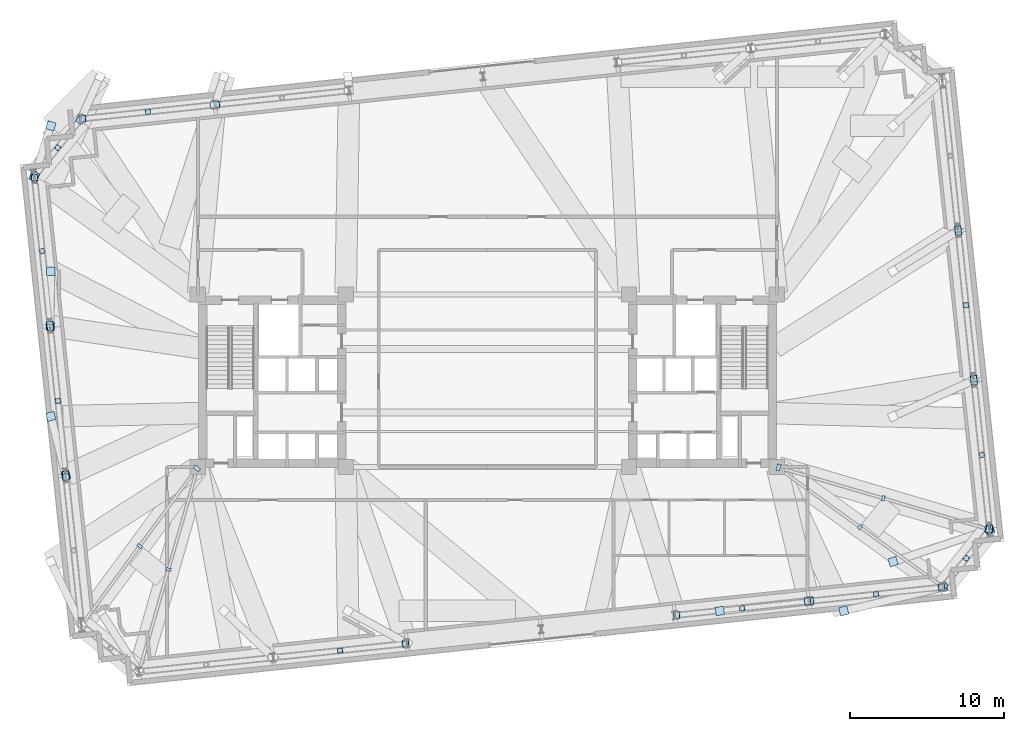
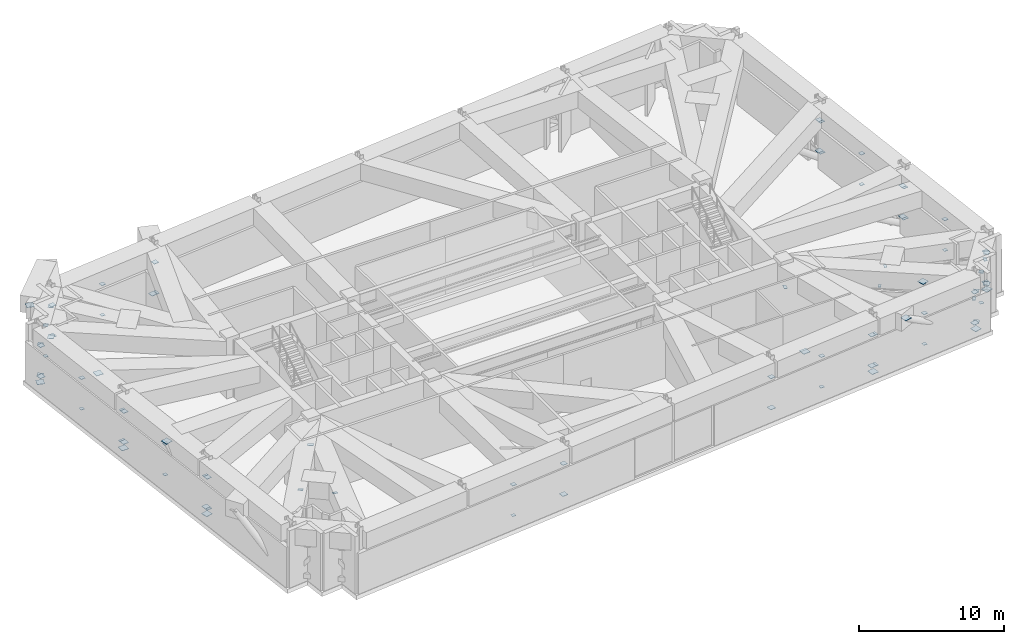
# One storey, part 17 of 23: 83 plates.
"""IFC4 building model written with IfcOpenShell, lengths in metres."""

from ifc_helpers import new_model, si_unit, direction, frame, origin, origin_2d, place, context, subcontext, project, spatial, rectangle, extrude, material, layer, layer_set, type_object, element, save


model = new_model("IFC4")

# Units and contexts
model_context = context("Model", 3, precision=1e-05, world=origin(), true_north=direction((0.0, 1.0)))
body_context = subcontext(model_context, "Body", "Model", "MODEL_VIEW")
ifc_project = project(units=[si_unit("LENGTHUNIT", "METRE"), si_unit("AREAUNIT", "SQUARE_METRE"), si_unit("VOLUMEUNIT", "CUBIC_METRE"), si_unit("PLANEANGLEUNIT", "RADIAN"), si_unit("MASSUNIT", "GRAM", prefix="KILO")], contexts=[model_context])

# Site, building, storey
site_placement = place(None, origin())
site = spatial("IfcSite", under=ifc_project, at=site_placement, CompositionType="ELEMENT")
building_placement = place(site_placement, origin())
building = spatial("IfcBuilding", under=site, at=building_placement, Name="Qobustan Lattice House", CompositionType="ELEMENT")
storey_placement = place(building_placement, frame((0.0, 0.0, 125.89990234375)))
storey = spatial("IfcBuildingStorey", under=building, at=storey_placement, Name="L35", CompositionType="ELEMENT", Elevation=125.89990234375)

# Plates
ifc_material = material(Name="Steel S355", Category="steel")
ifc_layer = layer(ifc_material, 0.030029296875)
ifc_layer_set = layer_set([ifc_layer], Name="Steel S355")
plate_type = type_object("IfcPlateType", Name="PLT-CAP-25", PredefinedType="SHEET", material=ifc_layer_set)
plate_1_placement = place(storey_placement, frame((-5.309814453125, -17.07568359375, 0.53515625), z_axis=(0.0, 0.0, 1.0), x_axis=(0.994521895368, 0.104528463268, 0.0)))
element("IfcPlate", 1, at=plate_1_placement, inside=storey, type_object=plate_type, Name="L35 TT2 belt truss bottom chord S2-S3 end cap plate 2", PredefinedType="SHEET", context=body_context, shape_type="SweptSolid", body=[
    extrude(rectangle(XDim=0.43994140625, YDim=0.43994140625, at=origin_2d()), origin(), (0.0, 0.0, 1.0), 0.030029296875),
])
plate_2_placement = place(storey_placement, frame((-5.309814453125, -17.07568359375, 3.125), z_axis=(0.0, 0.0, 1.0), x_axis=(0.994521895368, 0.104528463268, 0.0)))
element("IfcPlate", 2, at=plate_2_placement, inside=storey, type_object=plate_type, Name="L35 TT2 belt truss top chord S2-S3 end cap plate 2", PredefinedType="SHEET", context=body_context, shape_type="SweptSolid", body=[
    extrude(rectangle(XDim=0.389892578125, YDim=0.389892578125, at=origin_2d()), origin(), (0.0, 0.0, 1.0), 0.030029296875),
])
plate_3_placement = place(storey_placement, frame((-9.56201171875, -17.522705078125, 3.12744140625), z_axis=(0.0, 0.0, 1.0), x_axis=(0.994520070851, 0.104545820933, 0.0)))
element("IfcPlate", 3, at=plate_3_placement, inside=storey, type_object=plate_type, Name="L35 TT2 belt truss web diagonal S2-S3 A end cap plate 2", PredefinedType="SHEET", context=body_context, shape_type="SweptSolid", body=[
    extrude(rectangle(XDim=0.340087890625, YDim=0.340087890625, at=origin_2d()), origin(), (0.0, 0.0, 1.0), 0.030029296875),
])
plate_4_placement = place(storey_placement, frame((-9.56640625, -17.52294921875, 0.5302734375), z_axis=(0.0, 0.0, 1.0), x_axis=(1.0, 0.0, 0.0)))
element("IfcPlate", 4, at=plate_4_placement, inside=storey, type_object=plate_type, Name="L35 TT2 belt truss vertical post S2-S3 end cap plate 1", PredefinedType="SHEET", context=body_context, shape_type="SweptSolid", body=[
    extrude(rectangle(XDim=0.2900390625, YDim=0.2900390625, at=origin_2d()), origin(), (0.0, 0.0, 1.0), 0.030029296875),
])
for number, where, z_axis, x_axis, name in (
    (5, (12.283203125, -15.2265625, 0.53515625), (0.0, 0.0, 1.0), (0.994523719583, 0.10451110557, 0.0), "L35 TT2 belt truss bottom chord S5-S6 end cap plate 1"),
    (6, (20.79638671875, -14.331787109375, 0.53515625), (0.0, 0.0, 1.0), (0.994523719583, 0.10451110557, 0.0), "L35 TT2 belt truss bottom chord S5-S6 end cap plate 2"),
):
    element("IfcPlate", number, at=place(storey_placement, frame(where, z_axis=z_axis, x_axis=x_axis)), inside=storey, type_object=plate_type, Name=name, PredefinedType="SHEET", context=body_context, shape_type="SweptSolid", body=[
        extrude(rectangle(XDim=0.43994140625, YDim=0.43994140625, at=origin_2d()), origin(), (0.0, 0.0, 1.0), 0.030029296875),
    ])
for number, where, z_axis, x_axis, name in (
    (7, (12.283203125, -15.2265625, 3.125), (0.0, 0.0, 1.0), (0.994523719583, 0.10451110557, 0.0), "L35 TT2 belt truss top chord S5-S6 end cap plate 1"),
    (8, (20.79638671875, -14.331787109375, 3.125), (0.0, 0.0, 1.0), (0.994523719583, 0.10451110557, 0.0), "L35 TT2 belt truss top chord S5-S6 end cap plate 2"),
):
    element("IfcPlate", number, at=place(storey_placement, frame(where, z_axis=z_axis, x_axis=x_axis)), inside=storey, type_object=plate_type, Name=name, PredefinedType="SHEET", context=body_context, shape_type="SweptSolid", body=[
        extrude(rectangle(XDim=0.389892578125, YDim=0.389892578125, at=origin_2d()), origin(), (0.0, 0.0, 1.0), 0.030029296875),
    ])
plate_5_placement = place(storey_placement, frame((16.544189453125, -14.77880859375, 3.12744140625), z_axis=(0.0, 0.0, 1.0), x_axis=(0.994523719583, 0.10451110557, 0.0)))
element("IfcPlate", 9, at=plate_5_placement, inside=storey, type_object=plate_type, Name="L35 TT2 belt truss web diagonal S5-S6 A end cap plate 2", PredefinedType="SHEET", context=body_context, shape_type="SweptSolid", body=[
    extrude(rectangle(XDim=0.340087890625, YDim=0.340087890625, at=origin_2d()), origin(), (0.0, 0.0, 1.0), 0.030029296875),
])
plate_6_placement = place(storey_placement, frame((16.539794921875, -14.779296875, 0.5302734375), z_axis=(0.0, 0.0, 1.0), x_axis=(1.0, 0.0, 0.0)))
element("IfcPlate", 10, at=plate_6_placement, inside=storey, type_object=plate_type, Name="L35 TT2 belt truss vertical post S5-S6 end cap plate 1", PredefinedType="SHEET", context=body_context, shape_type="SweptSolid", body=[
    extrude(rectangle(XDim=0.2900390625, YDim=0.2900390625, at=origin_2d()), origin(), (0.0, 0.0, 1.0), 0.030029296875),
])
for number, where, z_axis, x_axis, name in (
    (11, (20.9853515625, -14.31201171875, 0.53515625), (0.0, 0.0, 1.0), (0.994521895368, 0.104528463268, 0.0), "L35 TT2 belt truss bottom chord S6-S7 end cap plate 1"),
    (12, (29.498291015625, -13.417236328125, 0.53515625), (0.0, 0.0, 1.0), (0.994521895368, 0.104528463268, 0.0), "L35 TT2 belt truss bottom chord S6-S7 end cap plate 2"),
):
    element("IfcPlate", number, at=place(storey_placement, frame(where, z_axis=z_axis, x_axis=x_axis)), inside=storey, type_object=plate_type, Name=name, PredefinedType="SHEET", context=body_context, shape_type="SweptSolid", body=[
        extrude(rectangle(XDim=0.43994140625, YDim=0.43994140625, at=origin_2d()), origin(), (0.0, 0.0, 1.0), 0.030029296875),
    ])
for number, where, z_axis, x_axis, name in (
    (13, (20.9853515625, -14.31201171875, 3.125), (0.0, 0.0, 1.0), (0.994521895368, 0.104528463268, 0.0), "L35 TT2 belt truss top chord S6-S7 end cap plate 1"),
    (14, (29.498291015625, -13.417236328125, 3.125), (0.0, 0.0, 1.0), (0.994521895368, 0.104528463268, 0.0), "L35 TT2 belt truss top chord S6-S7 end cap plate 2"),
):
    element("IfcPlate", number, at=place(storey_placement, frame(where, z_axis=z_axis, x_axis=x_axis)), inside=storey, type_object=plate_type, Name=name, PredefinedType="SHEET", context=body_context, shape_type="SweptSolid", body=[
        extrude(rectangle(XDim=0.389892578125, YDim=0.389892578125, at=origin_2d()), origin(), (0.0, 0.0, 1.0), 0.030029296875),
    ])
plate_7_placement = place(storey_placement, frame((25.24609375, -13.8642578125, 3.12744140625), z_axis=(0.0, 0.0, 1.0), x_axis=(0.994523719583, 0.10451110557, 0.0)))
element("IfcPlate", 15, at=plate_7_placement, inside=storey, type_object=plate_type, Name="L35 TT2 belt truss web diagonal S6-S7 A end cap plate 2", PredefinedType="SHEET", context=body_context, shape_type="SweptSolid", body=[
    extrude(rectangle(XDim=0.340087890625, YDim=0.340087890625, at=origin_2d()), origin(), (0.0, 0.0, 1.0), 0.030029296875),
])
plate_8_placement = place(storey_placement, frame((25.241943359375, -13.864501953125, 0.5302734375), z_axis=(0.0, 0.0, 1.0), x_axis=(1.0, 0.0, 0.0)))
element("IfcPlate", 16, at=plate_8_placement, inside=storey, type_object=plate_type, Name="L35 TT2 belt truss vertical post S6-S7 end cap plate 1", PredefinedType="SHEET", context=body_context, shape_type="SweptSolid", body=[
    extrude(rectangle(XDim=0.2900390625, YDim=0.2900390625, at=origin_2d()), origin(), (0.0, 0.0, 1.0), 0.030029296875),
])
for number, where, z_axis, x_axis, name in (
    (17, (29.652587890625, -13.33349609375, 0.53515625), (0.0, 0.0, 1.0), (0.62933395471, 0.777134977626, 0.0), "L35 TT2 belt truss bottom chord S7-E1 end cap plate 1"),
    (18, (32.55908203125, -9.744384765625, 0.53515625), (0.0, 0.0, 1.0), (0.62933395471, 0.777134977626, 0.0), "L35 TT2 belt truss bottom chord S7-E1 end cap plate 2"),
):
    element("IfcPlate", number, at=place(storey_placement, frame(where, z_axis=z_axis, x_axis=x_axis)), inside=storey, type_object=plate_type, Name=name, PredefinedType="SHEET", context=body_context, shape_type="SweptSolid", body=[
        extrude(rectangle(XDim=0.43994140625, YDim=0.43994140625, at=origin_2d()), origin(), (0.0, 0.0, 1.0), 0.030029296875),
    ])
for number, where, z_axis, x_axis, name in (
    (19, (29.652587890625, -13.33349609375, 3.125), (0.0, 0.0, 1.0), (0.62933395471, 0.777134977626, 0.0), "L35 TT2 belt truss top chord S7-E1 end cap plate 1"),
    (20, (32.55908203125, -9.744384765625, 3.125), (0.0, 0.0, 1.0), (0.62933395471, 0.777134977626, 0.0), "L35 TT2 belt truss top chord S7-E1 end cap plate 2"),
):
    element("IfcPlate", number, at=place(storey_placement, frame(where, z_axis=z_axis, x_axis=x_axis)), inside=storey, type_object=plate_type, Name=name, PredefinedType="SHEET", context=body_context, shape_type="SweptSolid", body=[
        extrude(rectangle(XDim=0.389892578125, YDim=0.389892578125, at=origin_2d()), origin(), (0.0, 0.0, 1.0), 0.030029296875),
    ])
plate_9_placement = place(storey_placement, frame((31.10791015625, -11.536376953125, 3.12890625), z_axis=(0.0, 0.0, 1.0), x_axis=(0.629347518178, 0.777123993558, 0.0)))
element("IfcPlate", 21, at=plate_9_placement, inside=storey, type_object=plate_type, Name="L35 TT2 belt truss web diagonal S7-E1 A end cap plate 2", PredefinedType="SHEET", context=body_context, shape_type="SweptSolid", body=[
    extrude(rectangle(XDim=0.340087890625, YDim=0.340087890625, at=origin_2d()), origin(), (0.0, 0.0, 1.0), 0.030029296875),
])
plate_10_placement = place(storey_placement, frame((31.10595703125, -11.538818359375, 0.5302734375), z_axis=(0.0, 0.0, 1.0), x_axis=(1.0, 0.0, 0.0)))
element("IfcPlate", 22, at=plate_10_placement, inside=storey, type_object=plate_type, Name="L35 TT2 belt truss vertical post S7-E1 end cap plate 1", PredefinedType="SHEET", context=body_context, shape_type="SweptSolid", body=[
    extrude(rectangle(XDim=0.2900390625, YDim=0.2900390625, at=origin_2d()), origin(), (0.0, 0.0, 1.0), 0.030029296875),
])
for number, where, z_axis, x_axis, name in (
    (23, (32.60888671875, -9.575927734375, 0.53515625), (0.0, 0.0, 1.0), (-0.104528463268, 0.994521895368, 0.0), "L35 TT2 belt truss bottom chord E1-E2 end cap plate 1"),
    (24, (31.60791015625, -0.0517578125, 0.53515625), (0.0, 0.0, 1.0), (-0.104528463268, 0.994521895368, 0.0), "L35 TT2 belt truss bottom chord E1-E2 end cap plate 2"),
):
    element("IfcPlate", number, at=place(storey_placement, frame(where, z_axis=z_axis, x_axis=x_axis)), inside=storey, type_object=plate_type, Name=name, PredefinedType="SHEET", context=body_context, shape_type="SweptSolid", body=[
        extrude(rectangle(XDim=0.43994140625, YDim=0.43994140625, at=origin_2d()), origin(), (0.0, 0.0, 1.0), 0.030029296875),
    ])
for number, where, z_axis, x_axis, name in (
    (25, (32.60888671875, -9.575927734375, 3.125), (0.0, 0.0, 1.0), (-0.104528463268, 0.994521895368, 0.0), "L35 TT2 belt truss top chord E1-E2 end cap plate 1"),
    (26, (31.60791015625, -0.0517578125, 3.125), (0.0, 0.0, 1.0), (-0.104528463268, 0.994521895368, 0.0), "L35 TT2 belt truss top chord E1-E2 end cap plate 2"),
):
    element("IfcPlate", number, at=place(storey_placement, frame(where, z_axis=z_axis, x_axis=x_axis)), inside=storey, type_object=plate_type, Name=name, PredefinedType="SHEET", context=body_context, shape_type="SweptSolid", body=[
        extrude(rectangle(XDim=0.389892578125, YDim=0.389892578125, at=origin_2d()), origin(), (0.0, 0.0, 1.0), 0.030029296875),
    ])
plate_11_placement = place(storey_placement, frame((32.10791015625, -4.8095703125, 3.12744140625), z_axis=(0.0, 0.0, 1.0), x_axis=(-0.10451110557, 0.994523719583, 0.0)))
element("IfcPlate", 27, at=plate_11_placement, inside=storey, type_object=plate_type, Name="L35 TT2 belt truss web diagonal E1-E2 A end cap plate 2", PredefinedType="SHEET", context=body_context, shape_type="SweptSolid", body=[
    extrude(rectangle(XDim=0.340087890625, YDim=0.340087890625, at=origin_2d()), origin(), (0.0, 0.0, 1.0), 0.030029296875),
])
plate_12_placement = place(storey_placement, frame((32.1083984375, -4.81396484375, 0.5302734375), z_axis=(0.0, 0.0, 1.0), x_axis=(1.0, 0.0, 0.0)))
element("IfcPlate", 28, at=plate_12_placement, inside=storey, type_object=plate_type, Name="L35 TT2 belt truss vertical post E1-E2 end cap plate 1", PredefinedType="SHEET", context=body_context, shape_type="SweptSolid", body=[
    extrude(rectangle(XDim=0.2900390625, YDim=0.2900390625, at=origin_2d()), origin(), (0.0, 0.0, 1.0), 0.030029296875),
])
for number, where, z_axis, x_axis, name in (
    (29, (31.587890625, 0.13720703125, 0.53515625), (0.0, 0.0, 1.0), (-0.104528463268, 0.994521895368, 0.0), "L35 TT2 belt truss bottom chord E2-E3 end cap plate 1"),
    (30, (30.587158203125, 9.661376953125, 0.53515625), (0.0, 0.0, 1.0), (-0.104528463268, 0.994521895368, 0.0), "L35 TT2 belt truss bottom chord E2-E3 end cap plate 2"),
):
    element("IfcPlate", number, at=place(storey_placement, frame(where, z_axis=z_axis, x_axis=x_axis)), inside=storey, type_object=plate_type, Name=name, PredefinedType="SHEET", context=body_context, shape_type="SweptSolid", body=[
        extrude(rectangle(XDim=0.43994140625, YDim=0.43994140625, at=origin_2d()), origin(), (0.0, 0.0, 1.0), 0.030029296875),
    ])
for number, where, z_axis, x_axis, name in (
    (31, (31.587890625, 0.13720703125, 3.125), (0.0, 0.0, 1.0), (-0.104528463268, 0.994521895368, 0.0), "L35 TT2 belt truss top chord E2-E3 end cap plate 1"),
    (32, (30.587158203125, 9.661376953125, 3.125), (0.0, 0.0, 1.0), (-0.104528463268, 0.994521895368, 0.0), "L35 TT2 belt truss top chord E2-E3 end cap plate 2"),
):
    element("IfcPlate", number, at=place(storey_placement, frame(where, z_axis=z_axis, x_axis=x_axis)), inside=storey, type_object=plate_type, Name=name, PredefinedType="SHEET", context=body_context, shape_type="SweptSolid", body=[
        extrude(rectangle(XDim=0.389892578125, YDim=0.389892578125, at=origin_2d()), origin(), (0.0, 0.0, 1.0), 0.030029296875),
    ])
plate_13_placement = place(storey_placement, frame((31.087158203125, 4.90380859375, 3.12744140625), z_axis=(0.0, 0.0, 1.0), x_axis=(-0.10451110557, 0.994523719583, 0.0)))
element("IfcPlate", 33, at=plate_13_placement, inside=storey, type_object=plate_type, Name="L35 TT2 belt truss web diagonal E2-E3 A end cap plate 2", PredefinedType="SHEET", context=body_context, shape_type="SweptSolid", body=[
    extrude(rectangle(XDim=0.340087890625, YDim=0.340087890625, at=origin_2d()), origin(), (0.0, 0.0, 1.0), 0.030029296875),
])
plate_14_placement = place(storey_placement, frame((31.087646484375, 4.8994140625, 0.5302734375), z_axis=(0.0, 0.0, 1.0), x_axis=(1.0, 0.0, 0.0)))
element("IfcPlate", 34, at=plate_14_placement, inside=storey, type_object=plate_type, Name="L35 TT2 belt truss vertical post E2-E3 end cap plate 1", PredefinedType="SHEET", context=body_context, shape_type="SweptSolid", body=[
    extrude(rectangle(XDim=0.2900390625, YDim=0.2900390625, at=origin_2d()), origin(), (0.0, 0.0, 1.0), 0.030029296875),
])
plate_15_placement = place(storey_placement, frame((30.567138671875, 9.850341796875, 0.53515625), z_axis=(0.0, 0.0, 1.0), x_axis=(-0.104528463268, 0.994521895368, 0.0)))
element("IfcPlate", 35, at=plate_15_placement, inside=storey, type_object=plate_type, Name="L35 TT2 belt truss bottom chord E3-E4 end cap plate 1", PredefinedType="SHEET", context=body_context, shape_type="SweptSolid", body=[
    extrude(rectangle(XDim=0.43994140625, YDim=0.43994140625, at=origin_2d()), origin(), (0.0, 0.0, 1.0), 0.030029296875),
])
plate_16_placement = place(storey_placement, frame((30.567138671875, 9.850341796875, 3.125), z_axis=(0.0, 0.0, 1.0), x_axis=(-0.104528463268, 0.994521895368, 0.0)))
element("IfcPlate", 36, at=plate_16_placement, inside=storey, type_object=plate_type, Name="L35 TT2 belt truss top chord E3-E4 end cap plate 1", PredefinedType="SHEET", context=body_context, shape_type="SweptSolid", body=[
    extrude(rectangle(XDim=0.389892578125, YDim=0.389892578125, at=origin_2d()), origin(), (0.0, 0.0, 1.0), 0.030029296875),
])
plate_17_placement = place(storey_placement, frame((-17.596435546875, 17.931884765625, 0.53515625), z_axis=(0.0, 0.0, 1.0), x_axis=(-0.994523719583, -0.10451110557, 0.0)))
element("IfcPlate", 37, at=plate_17_placement, inside=storey, type_object=plate_type, Name="L35 TT2 belt truss bottom chord N5-N6 end cap plate 2", PredefinedType="SHEET", context=body_context, shape_type="SweptSolid", body=[
    extrude(rectangle(XDim=0.43994140625, YDim=0.43994140625, at=origin_2d()), origin(), (0.0, 0.0, 1.0), 0.030029296875),
])
plate_18_placement = place(storey_placement, frame((-17.596435546875, 17.931884765625, 3.125), z_axis=(0.0, 0.0, 1.0), x_axis=(-0.994523719583, -0.10451110557, 0.0)))
element("IfcPlate", 38, at=plate_18_placement, inside=storey, type_object=plate_type, Name="L35 TT2 belt truss top chord N5-N6 end cap plate 2", PredefinedType="SHEET", context=body_context, shape_type="SweptSolid", body=[
    extrude(rectangle(XDim=0.389892578125, YDim=0.389892578125, at=origin_2d()), origin(), (0.0, 0.0, 1.0), 0.030029296875),
])
for number, where, z_axis, x_axis, name in (
    (39, (-17.785400390625, 17.911865234375, 0.53515625), (0.0, 0.0, 1.0), (-0.994521895368, -0.104528463268, 0.0), "L35 TT2 belt truss bottom chord N6-N7 end cap plate 1"),
    (40, (-26.29833984375, 17.01708984375, 0.53515625), (0.0, 0.0, 1.0), (-0.994521895368, -0.104528463268, 0.0), "L35 TT2 belt truss bottom chord N6-N7 end cap plate 2"),
):
    element("IfcPlate", number, at=place(storey_placement, frame(where, z_axis=z_axis, x_axis=x_axis)), inside=storey, type_object=plate_type, Name=name, PredefinedType="SHEET", context=body_context, shape_type="SweptSolid", body=[
        extrude(rectangle(XDim=0.43994140625, YDim=0.43994140625, at=origin_2d()), origin(), (0.0, 0.0, 1.0), 0.030029296875),
    ])
plate_19_placement = place(storey_placement, frame((-26.29833984375, 17.01708984375, 3.125), z_axis=(0.0, 0.0, 1.0), x_axis=(-0.994521895368, -0.104528463268, 0.0)))
element("IfcPlate", 41, at=plate_19_placement, inside=storey, type_object=plate_type, Name="L35 TT2 belt truss top chord N6-N7 end cap plate 2", PredefinedType="SHEET", context=body_context, shape_type="SweptSolid", body=[
    extrude(rectangle(XDim=0.389892578125, YDim=0.389892578125, at=origin_2d()), origin(), (0.0, 0.0, 1.0), 0.030029296875),
])
plate_20_placement = place(storey_placement, frame((-22.046142578125, 17.464111328125, 3.12744140625), z_axis=(0.0, 0.0, 1.0), x_axis=(-0.994523719583, -0.10451110557, 0.0)))
element("IfcPlate", 42, at=plate_20_placement, inside=storey, type_object=plate_type, Name="L35 TT2 belt truss web diagonal N6-N7 A end cap plate 2", PredefinedType="SHEET", context=body_context, shape_type="SweptSolid", body=[
    extrude(rectangle(XDim=0.340087890625, YDim=0.340087890625, at=origin_2d()), origin(), (0.0, 0.0, 1.0), 0.030029296875),
])
plate_21_placement = place(storey_placement, frame((-22.0419921875, 17.464599609375, 0.5302734375), z_axis=(0.0, 0.0, 1.0), x_axis=(1.0, 0.0, 0.0)))
element("IfcPlate", 43, at=plate_21_placement, inside=storey, type_object=plate_type, Name="L35 TT2 belt truss vertical post N6-N7 end cap plate 1", PredefinedType="SHEET", context=body_context, shape_type="SweptSolid", body=[
    extrude(rectangle(XDim=0.2900390625, YDim=0.2900390625, at=origin_2d()), origin(), (0.0, 0.0, 1.0), 0.030029296875),
])
for number, where, z_axis, x_axis, name in (
    (44, (-26.45263671875, 16.933349609375, 0.53515625), (0.0, 0.0, 1.0), (-0.62933395471, -0.777134977626, 0.0), "L35 TT2 belt truss bottom chord N7-W1 end cap plate 1"),
    (45, (-29.359130859375, 13.34423828125, 0.53515625), (0.0, 0.0, 1.0), (-0.62933395471, -0.777134977626, 0.0), "L35 TT2 belt truss bottom chord N7-W1 end cap plate 2"),
):
    element("IfcPlate", number, at=place(storey_placement, frame(where, z_axis=z_axis, x_axis=x_axis)), inside=storey, type_object=plate_type, Name=name, PredefinedType="SHEET", context=body_context, shape_type="SweptSolid", body=[
        extrude(rectangle(XDim=0.43994140625, YDim=0.43994140625, at=origin_2d()), origin(), (0.0, 0.0, 1.0), 0.030029296875),
    ])
for number, where, z_axis, x_axis, name in (
    (46, (-26.45263671875, 16.933349609375, 3.125), (0.0, 0.0, 1.0), (-0.62933395471, -0.777134977626, 0.0), "L35 TT2 belt truss top chord N7-W1 end cap plate 1"),
    (47, (-29.359130859375, 13.34423828125, 3.125), (0.0, 0.0, 1.0), (-0.62933395471, -0.777134977626, 0.0), "L35 TT2 belt truss top chord N7-W1 end cap plate 2"),
):
    element("IfcPlate", number, at=place(storey_placement, frame(where, z_axis=z_axis, x_axis=x_axis)), inside=storey, type_object=plate_type, Name=name, PredefinedType="SHEET", context=body_context, shape_type="SweptSolid", body=[
        extrude(rectangle(XDim=0.389892578125, YDim=0.389892578125, at=origin_2d()), origin(), (0.0, 0.0, 1.0), 0.030029296875),
    ])
plate_22_placement = place(storey_placement, frame((-27.907958984375, 15.13623046875, 3.12890625), z_axis=(0.0, 0.0, 1.0), x_axis=(-0.629347518178, -0.777123993558, 0.0)))
element("IfcPlate", 48, at=plate_22_placement, inside=storey, type_object=plate_type, Name="L35 TT2 belt truss web diagonal N7-W1 A end cap plate 2", PredefinedType="SHEET", context=body_context, shape_type="SweptSolid", body=[
    extrude(rectangle(XDim=0.340087890625, YDim=0.340087890625, at=origin_2d()), origin(), (0.0, 0.0, 1.0), 0.030029296875),
])
plate_23_placement = place(storey_placement, frame((-27.906005859375, 15.138916015625, 0.5302734375), z_axis=(0.0, 0.0, 1.0), x_axis=(1.0, 0.0, 0.0)))
element("IfcPlate", 49, at=plate_23_placement, inside=storey, type_object=plate_type, Name="L35 TT2 belt truss vertical post N7-W1 end cap plate 1", PredefinedType="SHEET", context=body_context, shape_type="SweptSolid", body=[
    extrude(rectangle(XDim=0.2900390625, YDim=0.2900390625, at=origin_2d()), origin(), (0.0, 0.0, 1.0), 0.030029296875),
])
for number, where, z_axis, x_axis, name in (
    (50, (-29.408935546875, 13.176025390625, 0.53515625), (0.0, 0.0, 1.0), (0.104528463268, -0.994521895368, 0.0), "L35 TT2 belt truss bottom chord W1-W2 end cap plate 1"),
    (51, (-28.407958984375, 3.65185546875, 0.53515625), (0.0, 0.0, 1.0), (0.104528463268, -0.994521895368, 0.0), "L35 TT2 belt truss bottom chord W1-W2 end cap plate 2"),
):
    element("IfcPlate", number, at=place(storey_placement, frame(where, z_axis=z_axis, x_axis=x_axis)), inside=storey, type_object=plate_type, Name=name, PredefinedType="SHEET", context=body_context, shape_type="SweptSolid", body=[
        extrude(rectangle(XDim=0.43994140625, YDim=0.43994140625, at=origin_2d()), origin(), (0.0, 0.0, 1.0), 0.030029296875),
    ])
for number, where, z_axis, x_axis, name in (
    (52, (-29.408935546875, 13.176025390625, 3.125), (0.0, 0.0, 1.0), (0.104528463268, -0.994521895368, 0.0), "L35 TT2 belt truss top chord W1-W2 end cap plate 1"),
    (53, (-28.407958984375, 3.65185546875, 3.125), (0.0, 0.0, 1.0), (0.104528463268, -0.994521895368, 0.0), "L35 TT2 belt truss top chord W1-W2 end cap plate 2"),
):
    element("IfcPlate", number, at=place(storey_placement, frame(where, z_axis=z_axis, x_axis=x_axis)), inside=storey, type_object=plate_type, Name=name, PredefinedType="SHEET", context=body_context, shape_type="SweptSolid", body=[
        extrude(rectangle(XDim=0.389892578125, YDim=0.389892578125, at=origin_2d()), origin(), (0.0, 0.0, 1.0), 0.030029296875),
    ])
plate_24_placement = place(storey_placement, frame((-28.907958984375, 8.409423828125, 3.12744140625), z_axis=(0.0, 0.0, 1.0), x_axis=(0.10451110557, -0.994523719583, 0.0)))
element("IfcPlate", 54, at=plate_24_placement, inside=storey, type_object=plate_type, Name="L35 TT2 belt truss web diagonal W1-W2 A end cap plate 2", PredefinedType="SHEET", context=body_context, shape_type="SweptSolid", body=[
    extrude(rectangle(XDim=0.340087890625, YDim=0.340087890625, at=origin_2d()), origin(), (0.0, 0.0, 1.0), 0.030029296875),
])
plate_25_placement = place(storey_placement, frame((-28.908447265625, 8.413818359375, 0.5302734375), z_axis=(0.0, 0.0, 1.0), x_axis=(1.0, 0.0, 0.0)))
element("IfcPlate", 55, at=plate_25_placement, inside=storey, type_object=plate_type, Name="L35 TT2 belt truss vertical post W1-W2 end cap plate 1", PredefinedType="SHEET", context=body_context, shape_type="SweptSolid", body=[
    extrude(rectangle(XDim=0.2900390625, YDim=0.2900390625, at=origin_2d()), origin(), (0.0, 0.0, 1.0), 0.030029296875),
])
for number, where, z_axis, x_axis, name in (
    (56, (-28.387939453125, 3.462890625, 0.53515625), (0.0, 0.0, 1.0), (0.104528463268, -0.994521895368, 0.0), "L35 TT2 belt truss bottom chord W2-W3 end cap plate 1"),
    (57, (-27.38720703125, -6.061279296875, 0.53515625), (0.0, 0.0, 1.0), (0.104528463268, -0.994521895368, 0.0), "L35 TT2 belt truss bottom chord W2-W3 end cap plate 2"),
):
    element("IfcPlate", number, at=place(storey_placement, frame(where, z_axis=z_axis, x_axis=x_axis)), inside=storey, type_object=plate_type, Name=name, PredefinedType="SHEET", context=body_context, shape_type="SweptSolid", body=[
        extrude(rectangle(XDim=0.43994140625, YDim=0.43994140625, at=origin_2d()), origin(), (0.0, 0.0, 1.0), 0.030029296875),
    ])
for number, where, z_axis, x_axis, name in (
    (58, (-28.387939453125, 3.462890625, 3.125), (0.0, 0.0, 1.0), (0.104528463268, -0.994521895368, 0.0), "L35 TT2 belt truss top chord W2-W3 end cap plate 1"),
    (59, (-27.38720703125, -6.061279296875, 3.125), (0.0, 0.0, 1.0), (0.104528463268, -0.994521895368, 0.0), "L35 TT2 belt truss top chord W2-W3 end cap plate 2"),
):
    element("IfcPlate", number, at=place(storey_placement, frame(where, z_axis=z_axis, x_axis=x_axis)), inside=storey, type_object=plate_type, Name=name, PredefinedType="SHEET", context=body_context, shape_type="SweptSolid", body=[
        extrude(rectangle(XDim=0.389892578125, YDim=0.389892578125, at=origin_2d()), origin(), (0.0, 0.0, 1.0), 0.030029296875),
    ])
plate_26_placement = place(storey_placement, frame((-27.886962890625, -1.3037109375, 3.12744140625), z_axis=(0.0, 0.0, 1.0), x_axis=(0.104528463268, -0.994521895368, 0.0)))
element("IfcPlate", 60, at=plate_26_placement, inside=storey, type_object=plate_type, Name="L35 TT2 belt truss web diagonal W2-W3 A end cap plate 2", PredefinedType="SHEET", context=body_context, shape_type="SweptSolid", body=[
    extrude(rectangle(XDim=0.340087890625, YDim=0.340087890625, at=origin_2d()), origin(), (0.0, 0.0, 1.0), 0.030029296875),
])
plate_27_placement = place(storey_placement, frame((-27.887451171875, -1.29931640625, 0.5302734375), z_axis=(0.0, 0.0, 1.0), x_axis=(1.0, 0.0, 0.0)))
element("IfcPlate", 61, at=plate_27_placement, inside=storey, type_object=plate_type, Name="L35 TT2 belt truss vertical post W2-W3 end cap plate 1", PredefinedType="SHEET", context=body_context, shape_type="SweptSolid", body=[
    extrude(rectangle(XDim=0.2900390625, YDim=0.2900390625, at=origin_2d()), origin(), (0.0, 0.0, 1.0), 0.030029296875),
])
plate_28_placement = place(storey_placement, frame((-27.3671875, -6.25048828125, 0.53515625), z_axis=(0.0, 0.0, 1.0), x_axis=(0.104528463268, -0.994521895368, 0.0)))
element("IfcPlate", 62, at=plate_28_placement, inside=storey, type_object=plate_type, Name="L35 TT2 belt truss bottom chord W3-W4 end cap plate 1", PredefinedType="SHEET", context=body_context, shape_type="SweptSolid", body=[
    extrude(rectangle(XDim=0.43994140625, YDim=0.43994140625, at=origin_2d()), origin(), (0.0, 0.0, 1.0), 0.030029296875),
])
plate_29_placement = place(storey_placement, frame((-27.3671875, -6.25048828125, 3.125), z_axis=(0.0, 0.0, 1.0), x_axis=(0.104528463268, -0.994521895368, 0.0)))
element("IfcPlate", 63, at=plate_29_placement, inside=storey, type_object=plate_type, Name="L35 TT2 belt truss top chord W3-W4 end cap plate 1", PredefinedType="SHEET", context=body_context, shape_type="SweptSolid", body=[
    extrude(rectangle(XDim=0.389892578125, YDim=0.389892578125, at=origin_2d()), origin(), (0.0, 0.0, 1.0), 0.030029296875),
])
for number, where, z_axis, x_axis, name in (
    (64, (20.89501953125, -14.321533203125, -0.0029296875), (0.0, 0.0, 1.0), (-0.994169798274, -0.107825841986, 0.0), "L35 TT2 column transfer strut S6 end cap plate 1"),
    (65, (15.095947265625, -14.950439453125, 4.10791015625), (0.0, 0.0, 1.0), (-0.994169798274, -0.107825841986, 0.0), "L35 TT2 column transfer strut S6 end cap plate 2"),
    (66, (29.596923828125, -13.40625, -0.00244140625), (0.0, 0.0, 1.0), (-0.972508278453, -0.232868306861, 0.0), "L35 TT2 column transfer strut S7 end cap plate 1"),
    (67, (23.14599609375, -14.950927734375, 4.10791015625), (0.0, 0.0, 1.0), (-0.972508278453, -0.232868306861, 0.0), "L35 TT2 column transfer strut S7 end cap plate 2"),
    (68, (32.622802734375, -9.669189453125, -0.00244140625), (0.0, 0.0, 1.0), (-0.949140116154, -0.314853997764, 0.0), "L35 TT2 column transfer strut E1 end cap plate 1"),
    (69, (26.345947265625, -11.751220703125, 4.10791015625), (0.0, 0.0, 1.0), (-0.949140116154, -0.314853997764, 0.0), "L35 TT2 column transfer strut E1 end cap plate 2"),
    (70, (-29.419921875, 13.267333984375, -0.00390625), (0.0, 0.0, 1.0), (0.309896612623, 0.950770261149, 0.0), "L35 TT2 column transfer strut W1 end cap plate 1"),
    (71, (-28.34912109375, 16.552978515625, 4.10888671875), (0.0, 0.0, 1.0), (0.309896612623, 0.950770261149, 0.0), "L35 TT2 column transfer strut W1 end cap plate 2"),
    (72, (-28.39794921875, 3.553955078125, -0.00390625), (0.0, 0.0, 1.0), (0.013490985843, 0.999908992509, 0.0), "L35 TT2 column transfer strut W2 end cap plate 1"),
    (73, (-28.35009765625, 7.1201171875, 4.10888671875), (0.0, 0.0, 1.0), (0.013490985843, 0.999908992509, 0.0), "L35 TT2 column transfer strut W2 end cap plate 2"),
    (74, (-27.376220703125, -6.1591796875, -0.00341796875), (0.0, 0.0, 1.0), (-0.245645771192, 0.969359662404, 0.0), "L35 TT2 column transfer strut W3 end cap plate 1"),
    (75, (-28.350830078125, -2.313232421875, 4.10888671875), (0.0, 0.0, 1.0), (-0.245645771192, 0.969359662404, 0.0), "L35 TT2 column transfer strut W3 end cap plate 2"),
):
    element("IfcPlate", number, at=place(storey_placement, frame(where, z_axis=z_axis, x_axis=x_axis)), inside=storey, type_object=plate_type, Name=name, PredefinedType="SHEET", context=body_context, shape_type="SweptSolid", body=[
        extrude(rectangle(XDim=0.548095703125, YDim=0.548095703125, at=origin_2d()), origin(), (0.0, 0.0, 1.0), 0.030029296875),
    ])
plate_30_placement = place(storey_placement, frame((-18.8681640625, -5.692626953125, 2.53515625), z_axis=(0.0, 0.0, 1.0), x_axis=(-0.592674086339, -0.805442379927, 0.0)))
element("IfcPlate", 76, at=plate_30_placement, inside=storey, type_object=plate_type, Name="L35 TT2 outrigger chord OUT-WS end cap plate 1", PredefinedType="SHEET", context=body_context, shape_type="SweptSolid", body=[
    extrude(rectangle(XDim=0.239990234375, YDim=0.43994140625, at=origin_2d()), origin(), (0.0, 0.0, 1.0), 0.030029296875),
])
for number, where, z_axis, x_axis, name in (
    (77, (-22.5810546875, -10.738525390625, 3.12548828125), (0.0, 0.0, 1.0), (-0.592674086339, -0.805442379927, 0.0), "L35 TT2 outrigger diagonal OUT-WS-1 end cap plate 2"),
    (78, (-20.711181640625, -12.252197265625, 3.12548828125), (0.0, 0.0, 1.0), (-0.276123858755, -0.961122060212, 0.0), "L35 TT2 outrigger diagonal OUT-WN-1 end cap plate 2"),
):
    element("IfcPlate", number, at=place(storey_placement, frame(where, z_axis=z_axis, x_axis=x_axis)), inside=storey, type_object=plate_type, Name=name, PredefinedType="SHEET", context=body_context, shape_type="SweptSolid", body=[
        extrude(rectangle(XDim=0.18994140625, YDim=0.340087890625, at=origin_2d()), origin(), (0.0, 0.0, 1.0), 0.030029296875),
    ])
for number, where, z_axis, x_axis, name in (
    (79, (18.910400390625, -5.632568359375, 2.53515625), (0.0, 0.0, 1.0), (0.959249888603, -0.28255911101, 0.0), "L35 TT2 outrigger chord OUT-ES end cap plate 1"),
    (80, (32.508544921875, -9.637939453125, 2.53515625), (0.0, 0.0, 1.0), (0.959249888603, -0.28255911101, 0.0), "L35 TT2 outrigger chord OUT-ES end cap plate 2"),
):
    element("IfcPlate", number, at=place(storey_placement, frame(where, z_axis=z_axis, x_axis=x_axis)), inside=storey, type_object=plate_type, Name=name, PredefinedType="SHEET", context=body_context, shape_type="SweptSolid", body=[
        extrude(rectangle(XDim=0.239990234375, YDim=0.43994140625, at=origin_2d()), origin(), (0.0, 0.0, 1.0), 0.030029296875),
    ])
plate_31_placement = place(storey_placement, frame((25.714111328125, -7.63671875, 3.12548828125), z_axis=(0.0, 0.0, 1.0), x_axis=(0.959249888603, -0.28255911101, 0.0)))
element("IfcPlate", 81, at=plate_31_placement, inside=storey, type_object=plate_type, Name="L35 TT2 outrigger diagonal OUT-ES-1 end cap plate 2", PredefinedType="SHEET", context=body_context, shape_type="SweptSolid", body=[
    extrude(rectangle(XDim=0.18994140625, YDim=0.340087890625, at=origin_2d()), origin(), (0.0, 0.0, 1.0), 0.030029296875),
])
plate_32_placement = place(storey_placement, frame((29.499755859375, -13.33984375, 2.53515625), z_axis=(0.0, 0.0, 1.0), x_axis=(0.81023604434, -0.58610370452, 0.0)))
element("IfcPlate", 82, at=plate_32_placement, inside=storey, type_object=plate_type, Name="L35 TT2 outrigger chord OUT-EN end cap plate 2", PredefinedType="SHEET", context=body_context, shape_type="SweptSolid", body=[
    extrude(rectangle(XDim=0.239990234375, YDim=0.43994140625, at=origin_2d()), origin(), (0.0, 0.0, 1.0), 0.030029296875),
])
plate_33_placement = place(storey_placement, frame((24.200439453125, -9.506591796875, 3.12548828125), z_axis=(0.0, 0.0, 1.0), x_axis=(0.81023604434, -0.58610370452, 0.0)))
element("IfcPlate", 83, at=plate_33_placement, inside=storey, type_object=plate_type, Name="L35 TT2 outrigger diagonal OUT-EN-1 end cap plate 2", PredefinedType="SHEET", context=body_context, shape_type="SweptSolid", body=[
    extrude(rectangle(XDim=0.18994140625, YDim=0.340087890625, at=origin_2d()), origin(), (0.0, 0.0, 1.0), 0.030029296875),
])

save(model, "model.ifc")
